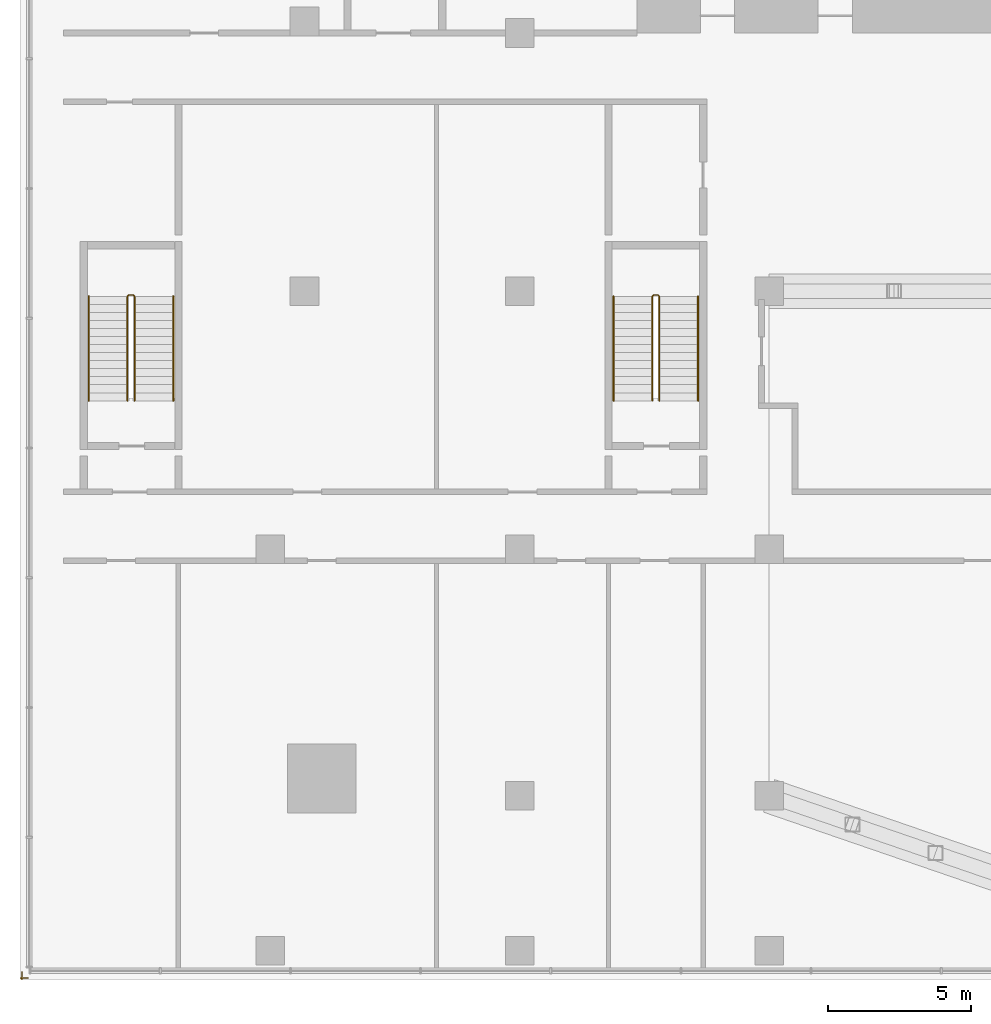
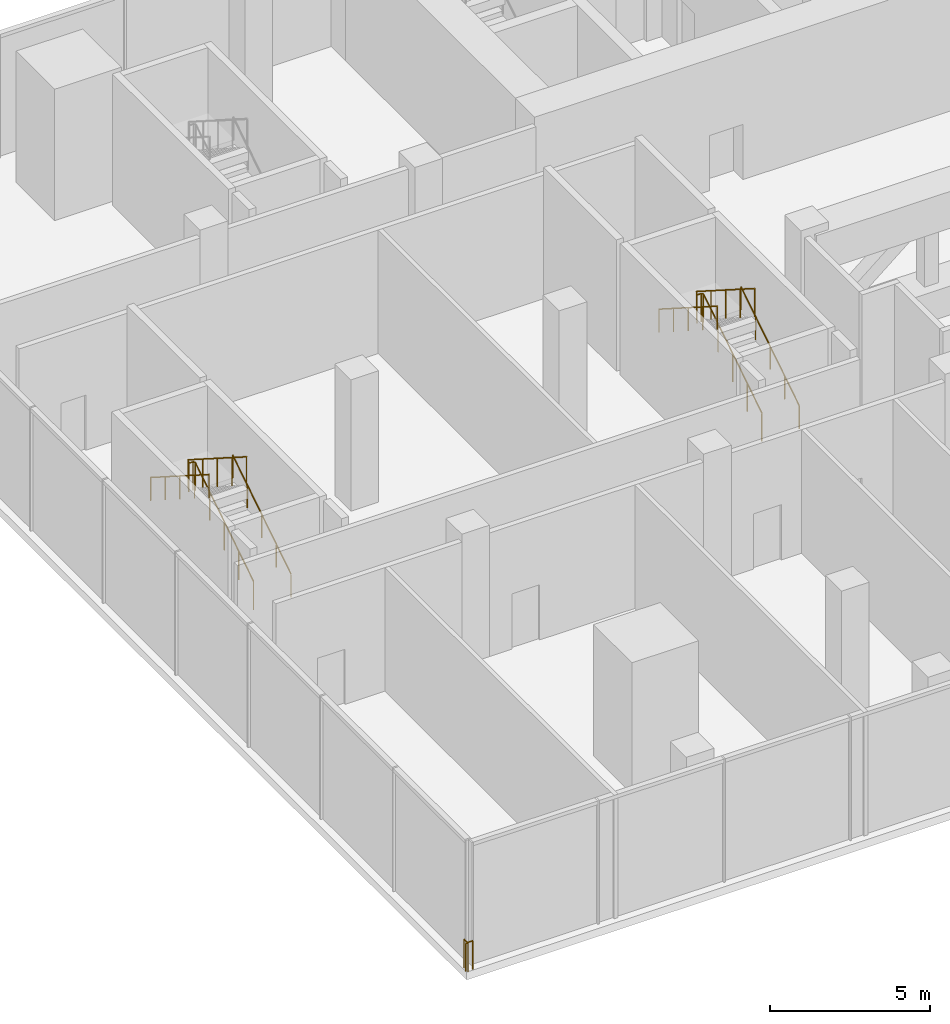
# One storey, part 19 of 22: 7 railings.
"""IFC4 building model written with IfcOpenShell, lengths in metres."""

from ifc_helpers import new_model, si_unit, direction, frame, origin, origin_2d, place, context, subcontext, project, spatial, circle, extrude, material, type_object, element, save


model = new_model("IFC4")

# Units and contexts
model_context = context("Model", 3, precision=1e-05, world=origin(), true_north=direction((0.0, 1.0)))
body_context = subcontext(model_context, "Body", "Model", "MODEL_VIEW")
ifc_project = project(units=[si_unit("LENGTHUNIT", "METRE"), si_unit("AREAUNIT", "SQUARE_METRE"), si_unit("VOLUMEUNIT", "CUBIC_METRE"), si_unit("PLANEANGLEUNIT", "RADIAN"), si_unit("MASSUNIT", "GRAM", prefix="KILO")], contexts=[model_context])

# Site, building, storey
site_placement = place(None, origin())
site = spatial("IfcSite", under=ifc_project, at=site_placement, CompositionType="ELEMENT")
building_placement = place(site_placement, origin())
building = spatial("IfcBuilding", under=site, at=building_placement, Name="Bicima Exchange Tower", CompositionType="ELEMENT")
storey_placement = place(building_placement, frame((0.0, 0.0, 20.0)))
storey = spatial("IfcBuildingStorey", under=building, at=storey_placement, Name="L03", CompositionType="ELEMENT", Elevation=20.0)

# Railings
ifc_material_1 = material(Name="Stainless steel and bonded safety glass", Category="steel")
railing_type_1 = type_object("IfcRailingType", Name="Edge guard 1100", PredefinedType="GUARDRAIL", material=ifc_material_1)
railing_1_placement = place(storey_placement, frame((-43.25, -45.949951171875, 0.0)))
element("IfcRailing", 1, at=railing_1_placement, inside=storey, type_object=railing_type_1, Name="Edge guard L03 12", PredefinedType="GUARDRAIL", context=body_context, shape_type="SweptSolid", body=[
    extrude(circle(Radius=0.02392578125, at=origin_2d()), frame((0.0, 0.0, 1.076171875), z_axis=(-1.0, 0.0, 0.0), x_axis=(0.0, -1.0, 0.0)), (0.0, 0.0, 1.0), 0.25),
    extrude(circle(Radius=0.02392578125, at=origin_2d()), frame((-0.25, 0.0, 1.076171875), z_axis=(0.707106781187, -0.707106781187, 0.0), x_axis=(0.707106781187, 0.707106781187, 0.0)), (0.0, 0.0, 1.0), 0.07080078125),
    extrude(circle(Radius=0.02392578125, at=origin_2d()), frame((-0.199951171875, -0.050048828125, 1.076171875), z_axis=(0.0, 1.0, 0.0), x_axis=(-1.0, 0.0, 0.0)), (0.0, 0.0, 1.0), 0.25),
    extrude(circle(Radius=0.02099609375, at=origin_2d()), origin(), (0.0, 0.0, 1.0), 1.052001953125),
    extrude(circle(Radius=0.02099609375, at=origin_2d()), frame((-0.25, 0.0, 0.0)), (0.0, 0.0, 1.0), 1.052001953125),
    extrude(circle(Radius=0.02099609375, at=origin_2d()), frame((-0.199951171875, -0.050048828125, 0.0)), (0.0, 0.0, 1.0), 1.052001953125),
    extrude(circle(Radius=0.02099609375, at=origin_2d()), frame((-0.199951171875, 0.199951171875, 0.0)), (0.0, 0.0, 1.0), 1.052001953125),
])
ifc_material_2 = material(Name="Stainless steel", Category="steel")
railing_type_2 = type_object("IfcRailingType", Name="Stair guard 1100", PredefinedType="GUARDRAIL", material=ifc_material_2)
railing_2_placement = place(storey_placement, frame((-39.52490234375, -25.824951171875, 0.178466796875)))
element("IfcRailing", 2, at=railing_2_placement, inside=storey, type_object=railing_type_2, Name="L03 PS-W stair guard 1", PredefinedType="GUARDRAIL", context=body_context, shape_type="SweptSolid", body=[
    extrude(circle(Radius=0.02392578125, at=origin_2d()), frame((0.0, 0.0, 1.076171875), z_axis=(0.0, 0.843111507901, 0.53773877045), x_axis=(-1.0, 0.0, 0.0)), (0.0, 0.0, 1.0), 4.317138671875),
    extrude(circle(Radius=0.02392578125, at=origin_2d()), frame((0.0, 3.639892578125, 3.3974609375), z_axis=(-0.707106781187, 0.707106781187, 0.0), x_axis=(-0.707106781187, -0.707106781187, 0.0)), (0.0, 0.0, 1.0), 0.07080078125),
    extrude(circle(Radius=0.02392578125, at=origin_2d()), frame((-0.050048828125, 3.68994140625, 3.3974609375), z_axis=(-1.0, 0.0, 0.0), x_axis=(0.0, -1.0, 0.0)), (0.0, 0.0, 1.0), 0.150146484375),
    extrude(circle(Radius=0.02392578125, at=origin_2d()), frame((-0.2001953125, 3.68994140625, 3.3974609375), z_axis=(-0.25949872427, -0.26077077684, 0.929870428634), x_axis=(0.708833529934, -0.705375805398, 0.0)), (0.0, 0.0, 1.0), 0.19189453125),
    extrude(circle(Radius=0.02392578125, at=origin_2d()), frame((-0.25, 3.639892578125, 3.576171875), z_axis=(0.0, -0.843111507901, 0.53773877045), x_axis=(1.0, 0.0, 0.0)), (0.0, 0.0, 1.0), 4.317138671875),
    extrude(circle(Radius=0.02099609375, at=origin_2d()), origin(), (0.0, 0.0, 1.0), 1.052001953125),
    extrude(circle(Radius=0.02099609375, at=origin_2d()), frame((0.0, 0.909912109375, 0.580322265625)), (0.0, 0.0, 1.0), 1.052001953125),
    extrude(circle(Radius=0.02099609375, at=origin_2d()), frame((0.0, 1.81982421875, 1.16064453125)), (0.0, 0.0, 1.0), 1.052001953125),
    extrude(circle(Radius=0.02099609375, at=origin_2d()), frame((0.0, 2.72998046875, 1.7412109375)), (0.0, 0.0, 1.0), 1.052001953125),
    extrude(circle(Radius=0.02099609375, at=origin_2d()), frame((0.0, 3.639892578125, 2.321533203125)), (0.0, 0.0, 1.0), 1.052001953125),
    extrude(circle(Radius=0.02099609375, at=origin_2d()), frame((-0.050048828125, 3.68994140625, 2.321533203125)), (0.0, 0.0, 1.0), 1.052001953125),
    extrude(circle(Radius=0.02099609375, at=origin_2d()), frame((-0.2001953125, 3.68994140625, 2.321533203125)), (0.0, 0.0, 1.0), 1.052001953125),
    extrude(circle(Radius=0.02099609375, at=origin_2d()), frame((-0.25, 3.639892578125, 2.5)), (0.0, 0.0, 1.0), 1.052001953125),
    extrude(circle(Radius=0.02099609375, at=origin_2d()), frame((-0.25, 2.72998046875, 3.080322265625)), (0.0, 0.0, 1.0), 1.052001953125),
    extrude(circle(Radius=0.02099609375, at=origin_2d()), frame((-0.25, 1.81982421875, 3.66064453125)), (0.0, 0.0, 1.0), 1.052001953125),
    extrude(circle(Radius=0.02099609375, at=origin_2d()), frame((-0.25, 0.909912109375, 4.2412109375)), (0.0, 0.0, 1.0), 1.052001953125),
    extrude(circle(Radius=0.02099609375, at=origin_2d()), frame((-0.25, 0.0, 4.821533203125)), (0.0, 0.0, 1.0), 1.052001953125),
])
railing_3_placement = place(storey_placement, frame((-21.22509765625, -25.824951171875, 0.178466796875)))
element("IfcRailing", 3, at=railing_3_placement, inside=storey, type_object=railing_type_2, Name="L03 PS-WI stair guard 1", PredefinedType="GUARDRAIL", context=body_context, shape_type="SweptSolid", body=[
    extrude(circle(Radius=0.02392578125, at=origin_2d()), frame((0.0, 0.0, 1.076171875), z_axis=(0.0, 0.843111507901, 0.53773877045), x_axis=(-1.0, 0.0, 0.0)), (0.0, 0.0, 1.0), 4.317138671875),
    extrude(circle(Radius=0.02392578125, at=origin_2d()), frame((0.0, 3.639892578125, 3.3974609375), z_axis=(-0.705375805398, 0.708833529934, 0.0), x_axis=(-0.708833529934, -0.705375805398, 0.0)), (0.0, 0.0, 1.0), 0.070556640625),
    extrude(circle(Radius=0.02392578125, at=origin_2d()), frame((-0.0498046875, 3.68994140625, 3.3974609375), z_axis=(-1.0, 0.0, 0.0), x_axis=(0.0, -1.0, 0.0)), (0.0, 0.0, 1.0), 0.150146484375),
    extrude(circle(Radius=0.02392578125, at=origin_2d()), frame((-0.199951171875, 3.68994140625, 3.3974609375), z_axis=(-0.260684529273, -0.260684529273, 0.929562882432), x_axis=(0.707106781187, -0.707106781187, 0.0)), (0.0, 0.0, 1.0), 0.19189453125),
    extrude(circle(Radius=0.02392578125, at=origin_2d()), frame((-0.25, 3.639892578125, 3.576171875), z_axis=(0.0, -0.843111507901, 0.53773877045), x_axis=(1.0, 0.0, 0.0)), (0.0, 0.0, 1.0), 4.317138671875),
    extrude(circle(Radius=0.02099609375, at=origin_2d()), origin(), (0.0, 0.0, 1.0), 1.052001953125),
    extrude(circle(Radius=0.02099609375, at=origin_2d()), frame((0.0, 0.909912109375, 0.580322265625)), (0.0, 0.0, 1.0), 1.052001953125),
    extrude(circle(Radius=0.02099609375, at=origin_2d()), frame((0.0, 1.81982421875, 1.16064453125)), (0.0, 0.0, 1.0), 1.052001953125),
    extrude(circle(Radius=0.02099609375, at=origin_2d()), frame((0.0, 2.72998046875, 1.7412109375)), (0.0, 0.0, 1.0), 1.052001953125),
    extrude(circle(Radius=0.02099609375, at=origin_2d()), frame((0.0, 3.639892578125, 2.321533203125)), (0.0, 0.0, 1.0), 1.052001953125),
    extrude(circle(Radius=0.02099609375, at=origin_2d()), frame((-0.0498046875, 3.68994140625, 2.321533203125)), (0.0, 0.0, 1.0), 1.052001953125),
    extrude(circle(Radius=0.02099609375, at=origin_2d()), frame((-0.199951171875, 3.68994140625, 2.321533203125)), (0.0, 0.0, 1.0), 1.052001953125),
    extrude(circle(Radius=0.02099609375, at=origin_2d()), frame((-0.25, 3.639892578125, 2.5)), (0.0, 0.0, 1.0), 1.052001953125),
    extrude(circle(Radius=0.02099609375, at=origin_2d()), frame((-0.25, 2.72998046875, 3.080322265625)), (0.0, 0.0, 1.0), 1.052001953125),
    extrude(circle(Radius=0.02099609375, at=origin_2d()), frame((-0.25, 1.81982421875, 3.66064453125)), (0.0, 0.0, 1.0), 1.052001953125),
    extrude(circle(Radius=0.02099609375, at=origin_2d()), frame((-0.25, 0.909912109375, 4.2412109375)), (0.0, 0.0, 1.0), 1.052001953125),
    extrude(circle(Radius=0.02099609375, at=origin_2d()), frame((-0.25, 0.0, 4.821533203125)), (0.0, 0.0, 1.0), 1.052001953125),
])
railing_type_3 = type_object("IfcRailingType", Name="Stair handrail 900", PredefinedType="HANDRAIL", material=ifc_material_2)
railing_4_placement = place(storey_placement, frame((-38.175048828125, -25.824951171875, 0.178466796875)))
element("IfcRailing", 4, at=railing_4_placement, inside=storey, type_object=railing_type_3, Name="L03 PS-W stair handrail 1", PredefinedType="HANDRAIL", context=body_context, shape_type="SweptSolid", body=[
    extrude(circle(Radius=0.02392578125, at=origin_2d()), frame((0.0, 0.0, 0.8759765625), z_axis=(0.0, 0.843111507901, 0.53773877045), x_axis=(-1.0, 0.0, 0.0)), (0.0, 0.0, 1.0), 4.317138671875),
    extrude(circle(Radius=0.02099609375, at=origin_2d()), origin(), (0.0, 0.0, 1.0), 0.851806640625),
    extrude(circle(Radius=0.02099609375, at=origin_2d()), frame((0.0, 0.909912109375, 0.580322265625)), (0.0, 0.0, 1.0), 0.851806640625),
    extrude(circle(Radius=0.02099609375, at=origin_2d()), frame((0.0, 1.81982421875, 1.16064453125)), (0.0, 0.0, 1.0), 0.851806640625),
    extrude(circle(Radius=0.02099609375, at=origin_2d()), frame((0.0, 2.72998046875, 1.7412109375)), (0.0, 0.0, 1.0), 0.851806640625),
    extrude(circle(Radius=0.02099609375, at=origin_2d()), frame((0.0, 3.639892578125, 2.321533203125)), (0.0, 0.0, 1.0), 0.851806640625),
])
railing_5_placement = place(storey_placement, frame((-41.125, -22.18505859375, 2.678466796875)))
element("IfcRailing", 5, at=railing_5_placement, inside=storey, type_object=railing_type_3, Name="L03 PS-W stair handrail 2", PredefinedType="HANDRAIL", context=body_context, shape_type="SweptSolid", body=[
    extrude(circle(Radius=0.02392578125, at=origin_2d()), frame((0.0, 0.0, 0.8759765625), z_axis=(0.0, -0.843111507901, 0.53773877045), x_axis=(1.0, 0.0, 0.0)), (0.0, 0.0, 1.0), 4.317138671875),
    extrude(circle(Radius=0.02099609375, at=origin_2d()), origin(), (0.0, 0.0, 1.0), 0.851806640625),
    extrude(circle(Radius=0.02099609375, at=origin_2d()), frame((0.0, -0.909912109375, 0.580322265625)), (0.0, 0.0, 1.0), 0.851806640625),
    extrude(circle(Radius=0.02099609375, at=origin_2d()), frame((0.0, -1.81982421875, 1.16064453125)), (0.0, 0.0, 1.0), 0.851806640625),
    extrude(circle(Radius=0.02099609375, at=origin_2d()), frame((0.0, -2.72998046875, 1.7412109375)), (0.0, 0.0, 1.0), 0.851806640625),
    extrude(circle(Radius=0.02099609375, at=origin_2d()), frame((0.0, -3.639892578125, 2.321533203125)), (0.0, 0.0, 1.0), 0.851806640625),
])
railing_6_placement = place(storey_placement, frame((-19.875, -25.824951171875, 0.178466796875)))
element("IfcRailing", 6, at=railing_6_placement, inside=storey, type_object=railing_type_3, Name="L03 PS-WI stair handrail 1", PredefinedType="HANDRAIL", context=body_context, shape_type="SweptSolid", body=[
    extrude(circle(Radius=0.02392578125, at=origin_2d()), frame((0.0, 0.0, 0.8759765625), z_axis=(0.0, 0.843111507901, 0.53773877045), x_axis=(-1.0, 0.0, 0.0)), (0.0, 0.0, 1.0), 4.317138671875),
    extrude(circle(Radius=0.02099609375, at=origin_2d()), origin(), (0.0, 0.0, 1.0), 0.851806640625),
    extrude(circle(Radius=0.02099609375, at=origin_2d()), frame((0.0, 0.909912109375, 0.580322265625)), (0.0, 0.0, 1.0), 0.851806640625),
    extrude(circle(Radius=0.02099609375, at=origin_2d()), frame((0.0, 1.81982421875, 1.16064453125)), (0.0, 0.0, 1.0), 0.851806640625),
    extrude(circle(Radius=0.02099609375, at=origin_2d()), frame((0.0, 2.72998046875, 1.7412109375)), (0.0, 0.0, 1.0), 0.851806640625),
    extrude(circle(Radius=0.02099609375, at=origin_2d()), frame((0.0, 3.639892578125, 2.321533203125)), (0.0, 0.0, 1.0), 0.851806640625),
])
railing_7_placement = place(storey_placement, frame((-22.824951171875, -22.18505859375, 2.678466796875)))
element("IfcRailing", 7, at=railing_7_placement, inside=storey, type_object=railing_type_3, Name="L03 PS-WI stair handrail 2", PredefinedType="HANDRAIL", context=body_context, shape_type="SweptSolid", body=[
    extrude(circle(Radius=0.02392578125, at=origin_2d()), frame((0.0, 0.0, 0.8759765625), z_axis=(0.0, -0.843111507901, 0.53773877045), x_axis=(1.0, 0.0, 0.0)), (0.0, 0.0, 1.0), 4.317138671875),
    extrude(circle(Radius=0.02099609375, at=origin_2d()), origin(), (0.0, 0.0, 1.0), 0.851806640625),
    extrude(circle(Radius=0.02099609375, at=origin_2d()), frame((0.0, -0.909912109375, 0.580322265625)), (0.0, 0.0, 1.0), 0.851806640625),
    extrude(circle(Radius=0.02099609375, at=origin_2d()), frame((0.0, -1.81982421875, 1.16064453125)), (0.0, 0.0, 1.0), 0.851806640625),
    extrude(circle(Radius=0.02099609375, at=origin_2d()), frame((0.0, -2.72998046875, 1.7412109375)), (0.0, 0.0, 1.0), 0.851806640625),
    extrude(circle(Radius=0.02099609375, at=origin_2d()), frame((0.0, -3.639892578125, 2.321533203125)), (0.0, 0.0, 1.0), 0.851806640625),
])

save(model, "model.ifc")
